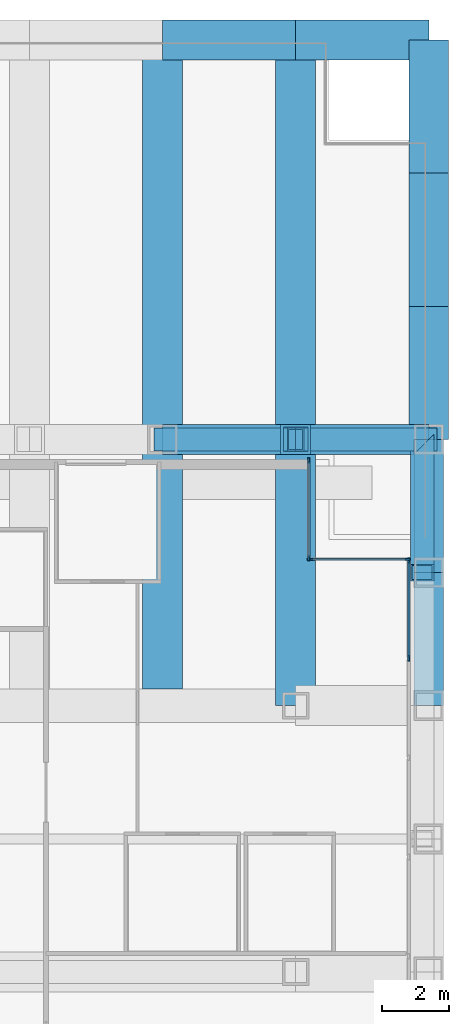
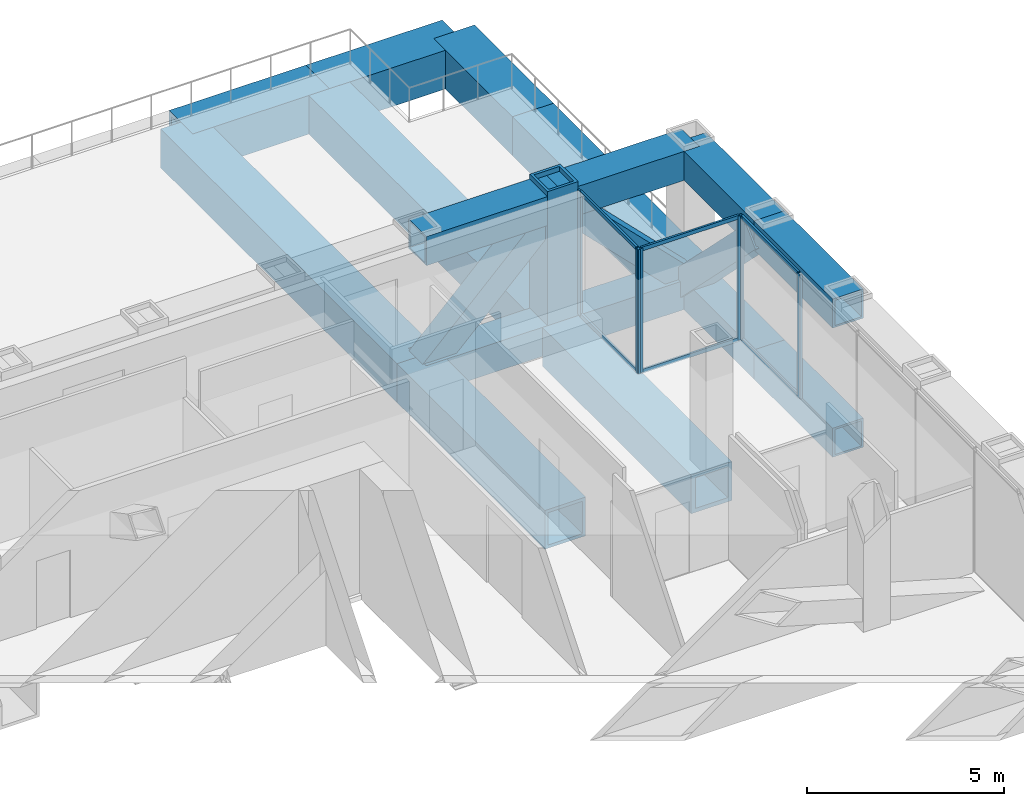
# One storey, part 9 of 17: 16 beams, 16 members, 3 elements without a shape of their own.
"""IFC4 building model written with IfcOpenShell, lengths in metres."""

from ifc_helpers import new_model, si_unit, direction, frame, origin, origin_2d, place, context, subcontext, project, spatial, rectangle, hollow_rectangle, extrude, material, material_profile, profile_set, type_object, element, aggregate, save


model = new_model("IFC4")

# Units and contexts
model_context = context("Model", 3, precision=1e-05, world=origin(), true_north=direction((0.0, 1.0)))
body_context = subcontext(model_context, "Body", "Model", "MODEL_VIEW")
ifc_project = project(units=[si_unit("LENGTHUNIT", "METRE"), si_unit("AREAUNIT", "SQUARE_METRE"), si_unit("VOLUMEUNIT", "CUBIC_METRE"), si_unit("PLANEANGLEUNIT", "RADIAN"), si_unit("MASSUNIT", "GRAM", prefix="KILO")], contexts=[model_context])

# Site, building, storey
site_placement = place(None, origin())
site = spatial("IfcSite", under=ifc_project, at=site_placement, CompositionType="ELEMENT")
building_placement = place(site_placement, origin())
building = spatial("IfcBuilding", under=site, at=building_placement, Name="Rimbunsela Tower", CompositionType="ELEMENT")
storey_placement = place(building_placement, frame((0.0, 0.0, 238.199951171875)))
storey = spatial("IfcBuildingStorey", under=building, at=storey_placement, Name="L57", CompositionType="ELEMENT", Elevation=238.199951171875)

# Beams
ifc_material_1 = material(Name="Steel BJ 55 (fy 410 MPa)", Category="steel")
ifc_material_profile_1 = material_profile(ifc_material_1, hollow_rectangle(XDim=1.199951171875, YDim=1.199951171875, WallThickness=0.10009765625, at=origin_2d()), Name="BOX 1200x1200x100")
ifc_profile_set_1 = profile_set([ifc_material_profile_1], Name="Steel BJ 55 (fy 410 MPa)")
beam_type_1 = type_object("IfcBeamType", Name="Beam BOX 1200x1200x100", PredefinedType="BEAM", material=ifc_profile_set_1)
beam_1_placement = place(storey_placement, frame((42.0, 36.5, -0.75), z_axis=(0.0, 1.0, 0.0), x_axis=(-1.0, 0.0, 0.0)))
element("IfcBeam", 1, at=beam_1_placement, inside=storey, type_object=beam_type_1, Name="Beam B5 L57", PredefinedType="BEAM", context=body_context, shape_type="SweptSolid", body=[
    extrude(hollow_rectangle(XDim=1.199951171875, YDim=1.199951171875, WallThickness=0.10009765625, at=origin_2d()), origin(), (0.0, 0.0, 1.0), 7.5),
])
beam_2_placement = place(storey_placement, frame((42.0, 44.0, -0.75), z_axis=(0.0, 1.0, 0.0), x_axis=(-1.0, 0.0, 0.0)))
element("IfcBeam", 2, at=beam_2_placement, inside=storey, type_object=beam_type_1, Name="Beam B5 L57", PredefinedType="BEAM", context=body_context, shape_type="SweptSolid", body=[
    extrude(hollow_rectangle(XDim=1.199951171875, YDim=1.199951171875, WallThickness=0.10009765625, at=origin_2d()), origin(), (0.0, 0.0, 1.0), 12.0),
])
ifc_material_2 = material(Name="Steel BJ 55 (fy 410 MPa)", Category="steel")
ifc_material_profile_2 = material_profile(ifc_material_2, hollow_rectangle(XDim=1.199951171875, YDim=1.199951171875, WallThickness=0.125, at=origin_2d()), Name="BOX 1200x1200x125")
ifc_profile_set_2 = profile_set([ifc_material_profile_2], Name="Steel BJ 55 (fy 410 MPa)")
beam_type_2 = type_object("IfcBeamType", Name="Beam BOX 1200x1200x125", PredefinedType="BEAM", material=ifc_profile_set_2)
beam_3_placement = place(storey_placement, frame((42.0, 56.0, -0.75), z_axis=(1.0, 0.0, 0.0), x_axis=(0.0, 1.0, 0.0)))
element("IfcBeam", 3, at=beam_3_placement, inside=storey, type_object=beam_type_2, Name="Beam B4 L57", PredefinedType="BEAM", context=body_context, shape_type="SweptSolid", body=[
    extrude(hollow_rectangle(XDim=1.199951171875, YDim=1.199951171875, WallThickness=0.125, at=origin_2d()), origin(), (0.0, 0.0, 1.0), 4.0),
])
beam_4_placement = place(storey_placement, frame((46.0, 36.0, -0.75), z_axis=(0.0, 1.0, 0.0), x_axis=(-1.0, 0.0, 0.0)))
element("IfcBeam", 4, at=beam_4_placement, inside=storey, type_object=beam_type_2, Name="Beam B4 L57", PredefinedType="BEAM", context=body_context, shape_type="SweptSolid", body=[
    extrude(hollow_rectangle(XDim=1.199951171875, YDim=1.199951171875, WallThickness=0.125, at=origin_2d()), origin(), (0.0, 0.0, 1.0), 7.550048828125),
])
beam_5_placement = place(storey_placement, frame((46.0, 44.449951171875, -0.75), z_axis=(0.0, 1.0, 0.0), x_axis=(-1.0, 0.0, 0.0)))
element("IfcBeam", 5, at=beam_5_placement, inside=storey, type_object=beam_type_2, Name="Beam B4 L57", PredefinedType="BEAM", context=body_context, shape_type="SweptSolid", body=[
    extrude(hollow_rectangle(XDim=1.199951171875, YDim=1.199951171875, WallThickness=0.125, at=origin_2d()), origin(), (0.0, 0.0, 1.0), 11.550048828125),
])
for number, where, z_axis, x_axis, name in (
    (6, (46.0, 56.0, -0.75), (1.0, 0.0, 0.0), (0.0, 1.0, 0.0), "Beam B4 L57"),
    (7, (50.0, 44.0, -0.75), (0.0, 1.0, 0.0), (-1.0, 0.0, 0.0), "Beam B4 L57"),
    (8, (50.0, 48.0, -0.75), (0.0, 1.0, 0.0), (-1.0, 0.0, 0.0), "Beam B4 L57"),
    (9, (50.0, 52.0, -0.75), (0.0, 1.0, 0.0), (-1.0, 0.0, 0.0), "Beam B4 L57"),
):
    element("IfcBeam", number, at=place(storey_placement, frame(where, z_axis=z_axis, x_axis=x_axis)), inside=storey, type_object=beam_type_2, Name=name, PredefinedType="BEAM", context=body_context, shape_type="SweptSolid", body=[
        extrude(hollow_rectangle(XDim=1.199951171875, YDim=1.199951171875, WallThickness=0.125, at=origin_2d()), origin(), (0.0, 0.0, 1.0), 4.0),
    ])

# Curtain wall, members
ifc_material_3 = material(Name="Aluminium curtain wall", Category="aluminium")
curtain_wall_type_1 = type_object("IfcCurtainWallType", Name="Exoskeleton storey infill", PredefinedType="USERDEFINED", material=ifc_material_3)
curtain_wall_1_placement = place(storey_placement, origin())
curtain_wall_1 = element("IfcCurtainWall", 10, at=curtain_wall_1_placement, inside=storey, type_object=curtain_wall_type_1, Name="Exoskeleton storey infill L57", ObjectType="EXOSKELETON STOREY INFILL", PredefinedType="USERDEFINED")
ifc_material_4 = material(Name="Aluminium mullion", Category="aluminium")
ifc_material_profile_3 = material_profile(ifc_material_4, rectangle(XDim=0.06005859375, YDim=0.159912109375, at=origin_2d()), Name="Mullion 60x160")
ifc_profile_set_3 = profile_set([ifc_material_profile_3], Name="Aluminium mullion")
member_type_1 = type_object("IfcMemberType", Name="Curtain wall mullion 60x160", PredefinedType="MULLION", material=ifc_profile_set_3)
member_1_placement = place(storey_placement, frame((49.39990234375, 37.418212890625, 0.0), z_axis=(0.0, 0.0, 1.0), x_axis=(-1.0, 0.0, 0.0)))
member_1 = element("IfcMember", 11, at=member_1_placement, type_object=member_type_1, Name="CW2 mullion 11", PredefinedType="MULLION", context=body_context, shape_type="SweptSolid", body=[
    extrude(rectangle(XDim=0.06005859375, YDim=0.159912109375, at=origin_2d()), origin(), (0.0, 0.0, 1.0), 3.85009765625),
])
member_2_placement = place(storey_placement, frame((49.39990234375, 40.3701171875, 0.0), z_axis=(0.0, 0.0, 1.0), x_axis=(-1.0, 0.0, 0.0)))
member_2 = element("IfcMember", 12, at=member_2_placement, type_object=member_type_1, Name="CW2 mullion 12", PredefinedType="MULLION", context=body_context, shape_type="SweptSolid", body=[
    extrude(rectangle(XDim=0.06005859375, YDim=0.159912109375, at=origin_2d()), origin(), (0.0, 0.0, 1.0), 3.85009765625),
])

ifc_material_5 = material(Name="Aluminium curtain wall", Category="aluminium")
curtain_wall_type_2 = type_object("IfcCurtainWallType", Name="Corner glazing", PredefinedType="USERDEFINED", material=ifc_material_5)
curtain_wall_2_placement = place(storey_placement, origin())
curtain_wall_2 = element("IfcCurtainWall", 13, at=curtain_wall_2_placement, inside=storey, type_object=curtain_wall_type_2, Name="Corner glazing L57", ObjectType="CORNER GLAZING", PredefinedType="USERDEFINED")
member_3_placement = place(storey_placement, frame((49.3701171875, 40.39990234375, 0.0), z_axis=(0.0, 0.0, 1.0), x_axis=(0.0, -1.0, 0.0)))
member_3 = element("IfcMember", 14, at=member_3_placement, type_object=member_type_1, Name="CW5 mullion 1", PredefinedType="MULLION", context=body_context, shape_type="SweptSolid", body=[
    extrude(rectangle(XDim=0.06005859375, YDim=0.159912109375, at=origin_2d()), origin(), (0.0, 0.0, 1.0), 3.85009765625),
])
member_4_placement = place(storey_placement, frame((46.429931640625, 40.39990234375, 0.0), z_axis=(0.0, 0.0, 1.0), x_axis=(0.0, -1.0, 0.0)))
member_4 = element("IfcMember", 15, at=member_4_placement, type_object=member_type_1, Name="CW5 mullion 2", PredefinedType="MULLION", context=body_context, shape_type="SweptSolid", body=[
    extrude(rectangle(XDim=0.06005859375, YDim=0.159912109375, at=origin_2d()), origin(), (0.0, 0.0, 1.0), 3.85009765625),
])

curtain_wall_3_placement = place(storey_placement, origin())
curtain_wall_3 = element("IfcCurtainWall", 16, at=curtain_wall_3_placement, inside=storey, type_object=curtain_wall_type_2, Name="Corner glazing L57", ObjectType="CORNER GLAZING", PredefinedType="USERDEFINED")
member_5_placement = place(storey_placement, frame((46.39990234375, 40.429931640625, 0.0), z_axis=(0.0, 0.0, 1.0), x_axis=(-1.0, 0.0, 0.0)))
member_5 = element("IfcMember", 17, at=member_5_placement, type_object=member_type_1, Name="CW5 mullion 1", PredefinedType="MULLION", context=body_context, shape_type="SweptSolid", body=[
    extrude(rectangle(XDim=0.06005859375, YDim=0.159912109375, at=origin_2d()), origin(), (0.0, 0.0, 1.0), 3.85009765625),
])
member_6_placement = place(storey_placement, frame((46.39990234375, 43.3701171875, 0.0), z_axis=(0.0, 0.0, 1.0), x_axis=(-1.0, 0.0, 0.0)))
member_6 = element("IfcMember", 18, at=member_6_placement, type_object=member_type_1, Name="CW5 mullion 2", PredefinedType="MULLION", context=body_context, shape_type="SweptSolid", body=[
    extrude(rectangle(XDim=0.06005859375, YDim=0.159912109375, at=origin_2d()), origin(), (0.0, 0.0, 1.0), 3.85009765625),
])

# Member
ifc_material_6 = material(Name="Aluminium transom", Category="aluminium")
ifc_material_profile_4 = material_profile(ifc_material_6, rectangle(XDim=0.06005859375, YDim=0.1201171875, at=origin_2d()), Name="Transom 60x120")
ifc_profile_set_4 = profile_set([ifc_material_profile_4], Name="Aluminium transom")
member_type_2 = type_object("IfcMemberType", Name="Curtain wall transom 60x120", PredefinedType="USERDEFINED", material=ifc_profile_set_4)
member_7_placement = place(storey_placement, frame((49.39990234375, 37.4482421875, 0.030029296875), z_axis=(0.0, 1.0, 0.0), x_axis=(-1.0, 0.0, 0.0)))
member_7 = element("IfcMember", 19, at=member_7_placement, type_object=member_type_2, Name="CW2 transom 11.1", ObjectType="TRANSOM", PredefinedType="USERDEFINED", context=body_context, shape_type="SweptSolid", body=[
    extrude(rectangle(XDim=0.06005859375, YDim=0.1201171875, at=origin_2d()), origin(), (0.0, 0.0, 1.0), 2.891845703125),
])

member_8_placement = place(storey_placement, frame((49.39990234375, 37.4482421875, 3.820068359375), z_axis=(0.0, 1.0, 0.0), x_axis=(-1.0, 0.0, 0.0)))
member_8 = element("IfcMember", 20, at=member_8_placement, type_object=member_type_2, Name="CW2 transom 11.2", ObjectType="TRANSOM", PredefinedType="USERDEFINED", context=body_context, shape_type="SweptSolid", body=[
    extrude(rectangle(XDim=0.06005859375, YDim=0.1201171875, at=origin_2d()), origin(), (0.0, 0.0, 1.0), 2.891845703125),
])

aggregate(curtain_wall_1, [member_1, member_2, member_7, member_8])

member_9_placement = place(storey_placement, frame((49.340087890625, 40.39990234375, 0.030029296875), z_axis=(-1.0, 0.0, 0.0), x_axis=(0.0, -1.0, 0.0)))
member_9 = element("IfcMember", 21, at=member_9_placement, type_object=member_type_2, Name="CW5 transom 1.1", ObjectType="TRANSOM", PredefinedType="USERDEFINED", context=body_context, shape_type="SweptSolid", body=[
    extrude(rectangle(XDim=0.06005859375, YDim=0.1201171875, at=origin_2d()), origin(), (0.0, 0.0, 1.0), 2.880126953125),
])

member_10_placement = place(storey_placement, frame((49.340087890625, 40.39990234375, 3.820068359375), z_axis=(-1.0, 0.0, 0.0), x_axis=(0.0, -1.0, 0.0)))
member_10 = element("IfcMember", 22, at=member_10_placement, type_object=member_type_2, Name="CW5 transom 1.2", ObjectType="TRANSOM", PredefinedType="USERDEFINED", context=body_context, shape_type="SweptSolid", body=[
    extrude(rectangle(XDim=0.06005859375, YDim=0.1201171875, at=origin_2d()), origin(), (0.0, 0.0, 1.0), 2.880126953125),
])

aggregate(curtain_wall_2, [member_3, member_4, member_9, member_10])

member_11_placement = place(storey_placement, frame((46.39990234375, 40.4599609375, 0.030029296875), z_axis=(0.0, 1.0, 0.0), x_axis=(-1.0, 0.0, 0.0)))
member_11 = element("IfcMember", 23, at=member_11_placement, type_object=member_type_2, Name="CW5 transom 1.1", ObjectType="TRANSOM", PredefinedType="USERDEFINED", context=body_context, shape_type="SweptSolid", body=[
    extrude(rectangle(XDim=0.06005859375, YDim=0.1201171875, at=origin_2d()), origin(), (0.0, 0.0, 1.0), 2.880126953125),
])

member_12_placement = place(storey_placement, frame((46.39990234375, 40.4599609375, 3.820068359375), z_axis=(0.0, 1.0, 0.0), x_axis=(-1.0, 0.0, 0.0)))
member_12 = element("IfcMember", 24, at=member_12_placement, type_object=member_type_2, Name="CW5 transom 1.2", ObjectType="TRANSOM", PredefinedType="USERDEFINED", context=body_context, shape_type="SweptSolid", body=[
    extrude(rectangle(XDim=0.06005859375, YDim=0.1201171875, at=origin_2d()), origin(), (0.0, 0.0, 1.0), 2.880126953125),
])

aggregate(curtain_wall_3, [member_5, member_6, member_11, member_12])

# Beams
ifc_material_7 = material(Name="Steel BJ 55 (fy 410 MPa)", Category="steel")
ifc_material_profile_5 = material_profile(ifc_material_7, hollow_rectangle(XDim=0.89990234375, YDim=0.89990234375, WallThickness=0.06005859375, at=origin_2d()), Name="BOX 900x900x60")
ifc_profile_set_5 = profile_set([ifc_material_profile_5], Name="Steel BJ 55 (fy 410 MPa)")
beam_type_3 = type_object("IfcBeamType", Name="Truss chord BOX 900x900x60", PredefinedType="USERDEFINED", material=ifc_profile_set_5)
for number, where, z_axis, x_axis, name in (
    (25, (42.0, 44.0, 3.400146484375), (1.0, 0.0, 0.0), (0.0, 1.0, 0.0), "Truss top chord TC4 N face L57"),
    (26, (46.0, 44.0, 3.400146484375), (1.0, 0.0, 0.0), (0.0, 1.0, 0.0), "Truss top chord TC4 N face L57"),
    (27, (50.0, 36.0, 3.400146484375), (0.0, 1.0, 0.0), (-1.0, 0.0, 0.0), "Truss top chord TC4 E face L57"),
    (28, (50.0, 40.0, 3.400146484375), (0.0, 1.0, 0.0), (-1.0, 0.0, 0.0), "Truss top chord TC4 E face L57"),
):
    element("IfcBeam", number, at=place(storey_placement, frame(where, z_axis=z_axis, x_axis=x_axis)), inside=storey, type_object=beam_type_3, Name=name, ObjectType="TRUSS CHORD", PredefinedType="USERDEFINED", context=body_context, shape_type="SweptSolid", body=[
        extrude(hollow_rectangle(XDim=0.89990234375, YDim=0.89990234375, WallThickness=0.06005859375, at=origin_2d()), origin(), (0.0, 0.0, 1.0), 4.0),
    ])
beam_6_placement = place(storey_placement, frame((42.0, 44.0, -0.599853515625), z_axis=(1.0, 0.0, 0.0), x_axis=(0.0, 1.0, 0.0)))
element("IfcBeam", 29, at=beam_6_placement, inside=storey, type_object=beam_type_3, Name="Truss bottom chord TC4 N face L57", ObjectType="TRUSS CHORD", PredefinedType="USERDEFINED", context=body_context, shape_type="SweptSolid", body=[
    extrude(hollow_rectangle(XDim=0.89990234375, YDim=0.89990234375, WallThickness=0.06005859375, at=origin_2d()), origin(), (0.0, 0.0, 1.0), 8.0),
])
for number, where, z_axis, x_axis, name in (
    (30, (50.0, 36.0, -0.599853515625), (0.0, 1.0, 0.0), (-1.0, 0.0, 0.0), "Truss bottom chord TC4 E face L57"),
    (31, (50.0, 40.0, -0.599853515625), (0.0, 1.0, 0.0), (-1.0, 0.0, 0.0), "Truss bottom chord TC4 E face L57"),
):
    element("IfcBeam", number, at=place(storey_placement, frame(where, z_axis=z_axis, x_axis=x_axis)), inside=storey, type_object=beam_type_3, Name=name, ObjectType="TRUSS CHORD", PredefinedType="USERDEFINED", context=body_context, shape_type="SweptSolid", body=[
        extrude(hollow_rectangle(XDim=0.89990234375, YDim=0.89990234375, WallThickness=0.06005859375, at=origin_2d()), origin(), (0.0, 0.0, 1.0), 4.0),
    ])

# Members
ifc_material_8 = material(Name="Steel BJ 55 (fy 410 MPa)", Category="steel")
ifc_material_profile_6 = material_profile(ifc_material_8, hollow_rectangle(XDim=0.699951171875, YDim=0.699951171875, WallThickness=0.050048828125, at=origin_2d()), Name="BOX 700x700x50")
ifc_profile_set_6 = profile_set([ifc_material_profile_6], Name="Steel BJ 55 (fy 410 MPa)")
member_type_3 = type_object("IfcMemberType", Name="Truss diagonal BOX 700x700x50", PredefinedType="BRACE", material=ifc_profile_set_6)
for number, where, z_axis, x_axis, name in (
    (32, (42.0, 44.0, -0.599853515625), (0.707106781187, 0.0, 0.707106781187), (0.0, 1.0, 0.0), "Truss diagonal TD4 N face L57"),
    (33, (46.0, 44.0, 3.400146484375), (0.707106781187, 0.0, -0.707106781187), (0.0, 1.0, 0.0), "Truss diagonal TD4 N face L57"),
    (34, (49.800048828125, 40.0, 3.400146484375), (0.0, 0.707106781187, -0.707106781187), (-1.0, 0.0, 0.0), "Truss diagonal TD4 E face L57"),
):
    element("IfcMember", number, at=place(storey_placement, frame(where, z_axis=z_axis, x_axis=x_axis)), inside=storey, type_object=member_type_3, Name=name, PredefinedType="BRACE", context=body_context, shape_type="SweptSolid", body=[
        extrude(hollow_rectangle(XDim=0.699951171875, YDim=0.699951171875, WallThickness=0.050048828125, at=origin_2d()), origin(), (0.0, 0.0, 1.0), 5.65673828125),
    ])
ifc_material_9 = material(Name="Steel BJ 55 (fy 410 MPa)", Category="steel")
ifc_material_profile_7 = material_profile(ifc_material_9, hollow_rectangle(XDim=0.89990234375, YDim=0.89990234375, WallThickness=0.080078125, at=origin_2d()), Name="BOX 900x900x80")
ifc_profile_set_7 = profile_set([ifc_material_profile_7], Name="Steel BJ 55 (fy 410 MPa)")
member_type_4 = type_object("IfcMemberType", Name="Truss post BOX 900x900x80", PredefinedType="POST", material=ifc_profile_set_7)
member_13_placement = place(storey_placement, frame((46.0, 44.0, -0.599853515625), z_axis=(0.0, 0.0, 1.0), x_axis=(1.0, 0.0, 0.0)))
element("IfcMember", 35, at=member_13_placement, inside=storey, type_object=member_type_4, Name="Truss post TP3 14/N L57", PredefinedType="POST", context=body_context, shape_type="SweptSolid", body=[
    extrude(hollow_rectangle(XDim=0.89990234375, YDim=0.89990234375, WallThickness=0.080078125, at=origin_2d()), origin(), (0.0, 0.0, 1.0), 4.599853515625),
])

save(model, "model.ifc")
